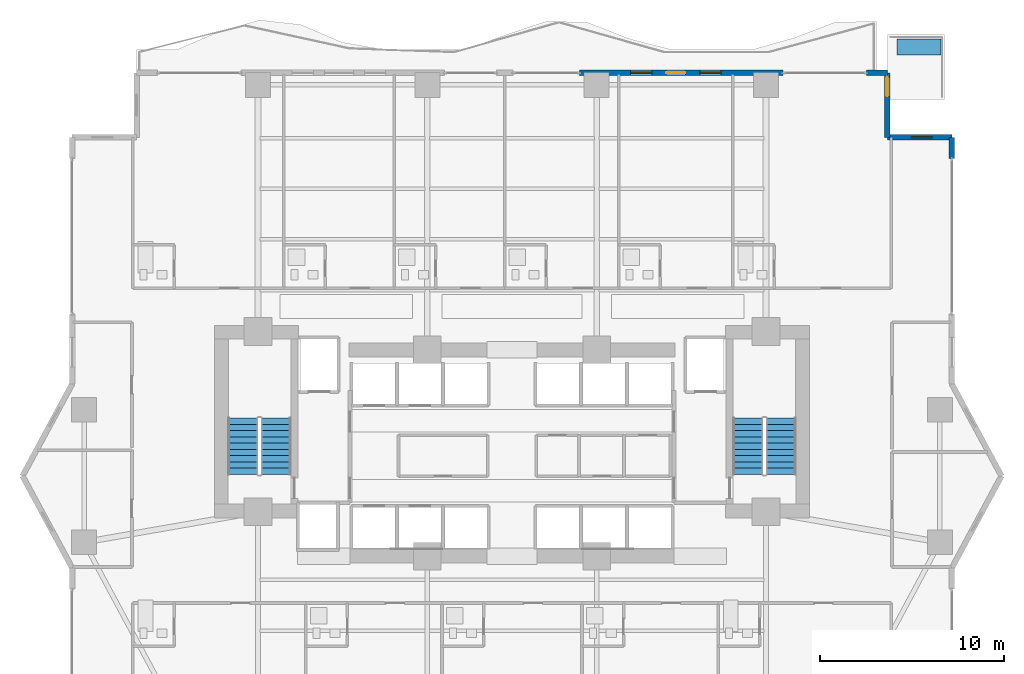
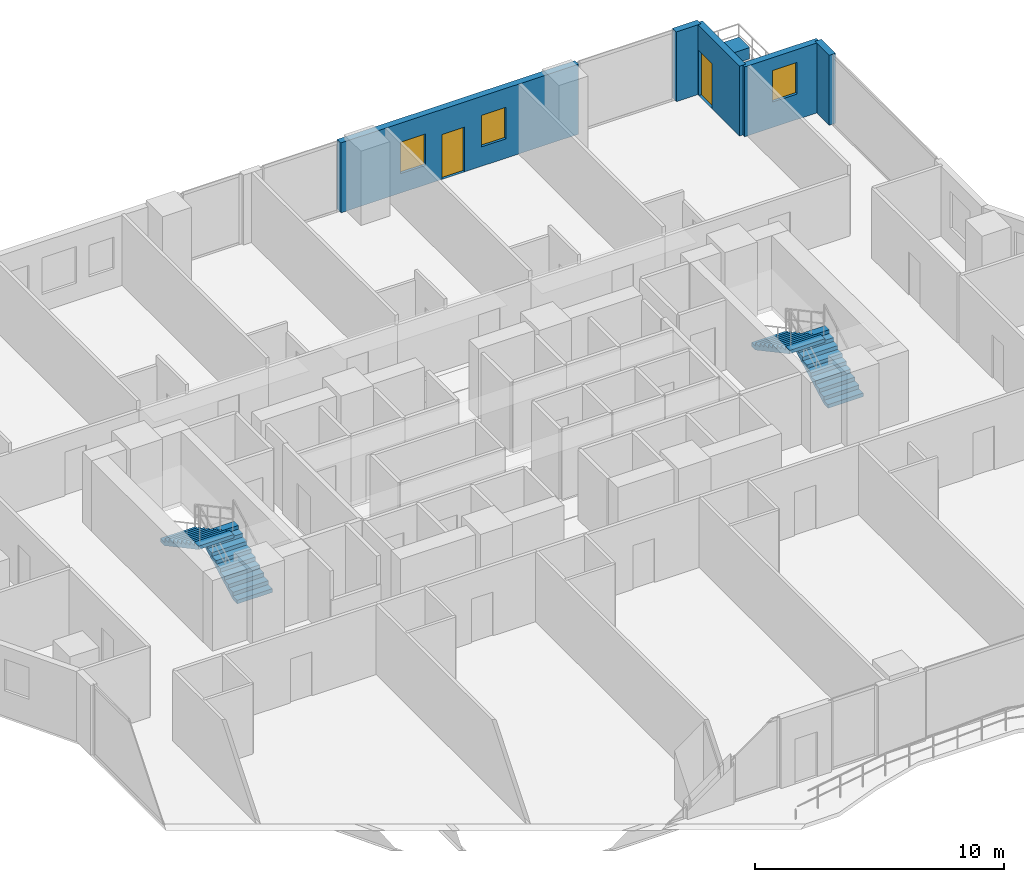
# One storey, part 24 of 28: 5 walls, 4 stair flights, 3 windows, 2 doors, 1 building element part, 5 openings, 2 elements without a shape of their own.
"""IFC4 building model written with IfcOpenShell, lengths in metres."""

from ifc_helpers import new_model, si_unit, direction, frame, frame_2d, origin, origin_2d, place, context, subcontext, project, spatial, polyline, rectangle, outline, extrude, material, layer, layer_set, type_object, element, fill, aggregate, save


model = new_model("IFC4")

# Units and contexts
model_context = context("Model", 3, precision=1e-05, world=origin(), true_north=direction((0.0, 1.0)))
body_context = subcontext(model_context, "Body", "Model", "MODEL_VIEW")
ifc_project = project(units=[si_unit("LENGTHUNIT", "METRE"), si_unit("AREAUNIT", "SQUARE_METRE"), si_unit("VOLUMEUNIT", "CUBIC_METRE"), si_unit("PLANEANGLEUNIT", "RADIAN"), si_unit("MASSUNIT", "GRAM", prefix="KILO")], contexts=[model_context])

# Site, building, storey
site_placement = place(None, origin())
site = spatial("IfcSite", under=ifc_project, at=site_placement, CompositionType="ELEMENT")
building_placement = place(site_placement, origin())
building = spatial("IfcBuilding", under=site, at=building_placement, Name="Zuhayl Quay Hotel", CompositionType="ELEMENT")
storey_placement = place(building_placement, frame((0.0, 0.0, 99.300048828125)))
storey = spatial("IfcBuildingStorey", under=building, at=storey_placement, Name="L24", CompositionType="ELEMENT", Elevation=99.300048828125)

# Wall, openings, door, windows
ifc_material_1 = material(Name="Precast concrete C45/55", Category="concrete")
ifc_layer_1 = layer(ifc_material_1, 0.300048828125, Name="Precast concrete C45/55", Category="concrete")
ifc_layer_set_1 = layer_set([ifc_layer_1], Name="Precast concrete C45/55")
wall_type = type_object("IfcWallType", Name="WL_EXT_300", PredefinedType="STANDARD", material=ifc_layer_set_1)
wall_1_placement = place(storey_placement, frame((3.679931640625, 28.39990234375, 0.0), z_axis=(0.0, 0.0, 1.0), x_axis=(1.0, 0.0, 0.0)))
wall_1 = element("IfcWall", 1, at=wall_1_placement, inside=storey, type_object=wall_type, Name="L24 Exterior Precast Wall ENV_L24_N_EW4", PredefinedType="STANDARD", context=body_context, shape_type="SweptSolid", body=[
    extrude(rectangle(XDim=11.0400390625, YDim=0.300048828125, at=frame_2d((5.52001953125, 0.0))), origin(), (0.0, 0.0, 1.0), 3.429931640625),
])
opening_1_placement = place(wall_1_placement, frame((4.695068359375, 0.0, 0.0)))
opening_1 = element("IfcOpeningElement", 2, at=opening_1_placement, cuts=wall_1, Name="Opening DG1", PredefinedType="OPENING", context=body_context, shape_type="SweptSolid", body=[
    extrude(rectangle(XDim=1.050048828125, YDim=2.199951171875, at=frame_2d((0.52490234375, 1.10009765625))), frame((0.0, 0.159912109375, 0.0), z_axis=(0.0, -1.0, 0.0), x_axis=(1.0, 0.0, 0.0)), (0.0, 0.0, 1.0), 0.320068359375),
])
opening_2_placement = place(wall_1_placement, frame((2.767578125, 0.0, 0.949951171875)))
opening_2 = element("IfcOpeningElement", 3, at=opening_2_placement, cuts=wall_1, Name="Opening W01N", PredefinedType="OPENING", context=body_context, shape_type="SweptSolid", body=[
    extrude(rectangle(XDim=1.14990234375, YDim=1.550048828125, at=frame_2d((0.574951171875, 0.77490234375))), frame((0.0, 0.159912109375, 0.0), z_axis=(0.0, -1.0, 0.0), x_axis=(1.0, 0.0, 0.0)), (0.0, 0.0, 1.0), 0.320068359375),
])
opening_3_placement = place(wall_1_placement, frame((6.5224609375, 0.0, 0.949951171875)))
opening_3 = element("IfcOpeningElement", 4, at=opening_3_placement, cuts=wall_1, Name="Opening W01N", PredefinedType="OPENING", context=body_context, shape_type="SweptSolid", body=[
    extrude(rectangle(XDim=1.14990234375, YDim=1.550048828125, at=frame_2d((0.574951171875, 0.77490234375))), frame((0.0, 0.159912109375, 0.0), z_axis=(0.0, -1.0, 0.0), x_axis=(1.0, 0.0, 0.0)), (0.0, 0.0, 1.0), 0.320068359375),
])
ifc_material_2 = material(Name="Anodised Aluminium and Dark Solar Glass", Category="aluminium")
door_type = type_object("IfcDoorType", Name="DR_EXT_TERR_1050", OperationType="NOTDEFINED", PredefinedType="DOOR", material=ifc_material_2)
door_1_placement = place(opening_1_placement, origin())
door_1 = element("IfcDoor", 5, at=door_1_placement, inside=storey, type_object=door_type, Name="L24 North Rippling Balcony Door", OperationType="SINGLE_SWING_LEFT", OverallHeight=2.199951171875, OverallWidth=1.050048828125, PredefinedType="DOOR", context=body_context, shape_type="SweptSolid", body=[
    extrude(rectangle(XDim=1.050048828125, YDim=2.199951171875, at=frame_2d((0.52490234375, 1.10009765625))), frame((0.0, 0.02490234375, 0.0), z_axis=(0.0, -1.0, 0.0), x_axis=(1.0, 0.0, 0.0)), (0.0, 0.0, 1.0), 0.050048828125),
])
fill(opening_1, door_1)
ifc_material_3 = material(Name="Dark Ceramic-Fritted Solar Glass", Category="glass")
window_type = type_object("IfcWindowType", Name="WN_NOTCH_1350", PartitioningType="SINGLE_PANEL", PredefinedType="WINDOW", material=ifc_material_3)
window_1_placement = place(opening_2_placement, origin())
window_1 = element("IfcWindow", 6, at=window_1_placement, inside=storey, type_object=window_type, Name="L24 Operable Facade Window 4-1", OverallHeight=1.550048828125, OverallWidth=1.14990234375, PartitioningType="SINGLE_PANEL", PredefinedType="WINDOW", context=body_context, shape_type="SweptSolid", body=[
    extrude(rectangle(XDim=1.14990234375, YDim=1.550048828125, at=frame_2d((0.574951171875, 0.77490234375))), frame((0.0, 0.030029296875, 0.0), z_axis=(0.0, -1.0, 0.0), x_axis=(1.0, 0.0, 0.0)), (0.0, 0.0, 1.0), 0.06005859375),
])
fill(opening_2, window_1)
window_2_placement = place(opening_3_placement, origin())
window_2 = element("IfcWindow", 7, at=window_2_placement, inside=storey, type_object=window_type, Name="L24 Operable Facade Window 4-2", OverallHeight=1.550048828125, OverallWidth=1.14990234375, PartitioningType="SINGLE_PANEL", PredefinedType="WINDOW", context=body_context, shape_type="SweptSolid", body=[
    extrude(rectangle(XDim=1.14990234375, YDim=1.550048828125, at=frame_2d((0.574951171875, 0.77490234375))), frame((0.0, 0.030029296875, 0.0), z_axis=(0.0, -1.0, 0.0), x_axis=(1.0, 0.0, 0.0)), (0.0, 0.0, 1.0), 0.06005859375),
])
fill(opening_3, window_2)

# Wall
wall_2_placement = place(storey_placement, frame((19.25, 28.39990234375, 0.0), z_axis=(0.0, 0.0, 1.0), x_axis=(1.0, 0.0, 0.0)))
element("IfcWall", 8, at=wall_2_placement, inside=storey, type_object=wall_type, Name="L24 Exterior Precast Wall ENV_L24_N_EW5", PredefinedType="STANDARD", context=body_context, shape_type="SweptSolid", body=[
    extrude(rectangle(XDim=1.14990234375, YDim=0.300048828125, at=frame_2d((0.574951171875, 0.0))), origin(), (0.0, 0.0, 1.0), 3.429931640625),
])

# Wall, opening, door
wall_3_placement = place(storey_placement, frame((20.39990234375, 28.39990234375, 0.0), z_axis=(0.0, 0.0, 1.0), x_axis=(0.0, -1.0, 0.0)))
wall_3 = element("IfcWall", 9, at=wall_3_placement, inside=storey, type_object=wall_type, Name="L24 Exterior Precast Wall ENV_L24_SP_NE", PredefinedType="STANDARD", context=body_context, shape_type="SweptSolid", body=[
    extrude(rectangle(XDim=3.5, YDim=0.300048828125, at=frame_2d((1.75, 0.0))), origin(), (0.0, 0.0, 1.0), 3.429931640625),
])
opening_4_placement = place(wall_3_placement, frame((0.219970703125, 0.0, 0.0)))
opening_4 = element("IfcOpeningElement", 10, at=opening_4_placement, cuts=wall_3, Name="Opening DG1", PredefinedType="OPENING", context=body_context, shape_type="SweptSolid", body=[
    extrude(rectangle(XDim=1.050048828125, YDim=2.199951171875, at=frame_2d((0.52490234375, 1.10009765625))), frame((0.0, 0.159912109375, 0.0), z_axis=(0.0, -1.0, 0.0), x_axis=(1.0, 0.0, 0.0)), (0.0, 0.0, 1.0), 0.320068359375),
])
door_2_placement = place(opening_4_placement, origin())
door_2 = element("IfcDoor", 11, at=door_2_placement, inside=storey, type_object=door_type, Name="L24 Spiral Sky-Terrace NE Access Door", OperationType="SINGLE_SWING_LEFT", OverallHeight=2.199951171875, OverallWidth=1.050048828125, PredefinedType="DOOR", context=body_context, shape_type="SweptSolid", body=[
    extrude(rectangle(XDim=1.050048828125, YDim=2.199951171875, at=frame_2d((0.52490234375, 1.10009765625))), frame((0.0, 0.02490234375, 0.0), z_axis=(0.0, -1.0, 0.0), x_axis=(1.0, 0.0, 0.0)), (0.0, 0.0, 1.0), 0.050048828125),
])
fill(opening_4, door_2)

# Wall, opening, window
wall_4_placement = place(storey_placement, frame((20.39990234375, 24.89990234375, 0.0), z_axis=(0.0, 0.0, 1.0), x_axis=(1.0, 0.0, 0.0)))
wall_4 = element("IfcWall", 12, at=wall_4_placement, inside=storey, type_object=wall_type, Name="L24 Exterior Precast Wall ENV_L24_EW10", PredefinedType="STANDARD", context=body_context, shape_type="SweptSolid", body=[
    extrude(rectangle(XDim=3.5, YDim=0.300048828125, at=frame_2d((1.75, 0.0))), origin(), (0.0, 0.0, 1.0), 3.429931640625),
])
opening_5_placement = place(wall_4_placement, frame((1.284912109375, 0.0, 1.25)))
opening_5 = element("IfcOpeningElement", 13, at=opening_5_placement, cuts=wall_4, Name="Opening W01N", PredefinedType="OPENING", context=body_context, shape_type="SweptSolid", body=[
    extrude(rectangle(XDim=1.14990234375, YDim=1.550048828125, at=frame_2d((0.574951171875, 0.77490234375))), frame((0.0, 0.159912109375, 0.0), z_axis=(0.0, -1.0, 0.0), x_axis=(1.0, 0.0, 0.0)), (0.0, 0.0, 1.0), 0.320068359375),
])
window_3_placement = place(opening_5_placement, origin())
window_3 = element("IfcWindow", 14, at=window_3_placement, inside=storey, type_object=window_type, Name="L24 Corner Notch Window 10", OverallHeight=1.550048828125, OverallWidth=1.14990234375, PartitioningType="SINGLE_PANEL", PredefinedType="WINDOW", context=body_context, shape_type="SweptSolid", body=[
    extrude(rectangle(XDim=1.14990234375, YDim=1.550048828125, at=frame_2d((0.574951171875, 0.77490234375))), frame((0.0, 0.030029296875, 0.0), z_axis=(0.0, -1.0, 0.0), x_axis=(1.0, 0.0, 0.0)), (0.0, 0.0, 1.0), 0.06005859375),
])
fill(opening_5, window_3)

# Wall
wall_5_placement = place(storey_placement, frame((23.89990234375, 24.89990234375, 0.0), z_axis=(0.0, 0.0, 1.0), x_axis=(0.0, -1.0, 0.0)))
element("IfcWall", 15, at=wall_5_placement, inside=storey, type_object=wall_type, Name="L24 Exterior Precast Wall ENV_L24_E11_EW1", PredefinedType="STANDARD", context=body_context, shape_type="SweptSolid", body=[
    extrude(rectangle(XDim=1.14990234375, YDim=0.300048828125, at=frame_2d((0.574951171875, 0.0))), origin(), (0.0, 0.0, 1.0), 3.429931640625),
])

# Stair, stair flights
ifc_material_4 = material(Name="Concrete C45/55", Category="concrete")
stair_type = type_object("IfcStairType", Name="ST_DOGLEG_TOWER", PredefinedType="HALF_TURN_STAIR", material=ifc_material_4)
stair_1_placement = place(storey_placement, origin())
stair_1 = element("IfcStair", 16, at=stair_1_placement, inside=storey, type_object=stair_type, Name="L24 Smokeproof Exit Stair ST1", PredefinedType="HALF_TURN_STAIR")
ifc_layer_2 = layer(ifc_material_4, 0.159912109375, Name="Concrete C45/55", Category="concrete")
ifc_layer_set_2 = layer_set([ifc_layer_2], Name="Concrete C45/55")
stair_flight_type = type_object("IfcStairFlightType", Name="SF_CONC_164", PredefinedType="STRAIGHT", material=ifc_layer_set_2)
stair_flight_1_placement = place(storey_placement, frame((-12.820068359375, 6.590087890625, 0.0), z_axis=(0.0, 0.0, 1.0), x_axis=(0.0, 1.0, 0.0)))
stair_flight_1 = element("IfcStairFlight", 17, at=stair_flight_1_placement, type_object=stair_flight_type, Name="ST1 flight 1", NumberOfRisers=10, NumberOfTreads=9, PredefinedType="STRAIGHT", RiserHeight=0.1825, TreadLength=0.34, context=body_context, shape_type="SweptSolid", body=[
    extrude(outline(polyline([(0.0, 0.0), (0.0, 0.1826171875), (0.340087890625, 0.1826171875), (0.340087890625, 0.364990234375), (0.679931640625, 0.364990234375), (0.679931640625, 0.547607421875), (1.02001953125, 0.547607421875), (1.02001953125, 0.72998046875), (1.360107421875, 0.72998046875), (1.360107421875, 0.91259765625), (1.699951171875, 0.91259765625), (1.699951171875, 1.094970703125), (2.0400390625, 1.094970703125), (2.0400390625, 1.277587890625), (2.3798828125, 1.277587890625), (2.3798828125, 1.4599609375), (2.719970703125, 1.4599609375), (2.719970703125, 1.642578125), (3.06005859375, 1.642578125), (3.06005859375, 1.824951171875), (3.06005859375, 1.472412109375), (0.31689453125, 0.0), (0.0, 0.0)])), frame((0.0, 0.81982421875, 0.0), z_axis=(0.0, -1.0, 0.0), x_axis=(1.0, 0.0, 0.0)), (0.0, 0.0, 1.0), 1.639892578125),
])
stair_flight_2_placement = place(storey_placement, frame((-14.610107421875, 9.64990234375, 1.824951171875), z_axis=(0.0, 0.0, 1.0), x_axis=(0.0, -1.0, 0.0)))
stair_flight_2 = element("IfcStairFlight", 18, at=stair_flight_2_placement, type_object=stair_flight_type, Name="ST1 flight 2", NumberOfRisers=10, NumberOfTreads=9, PredefinedType="STRAIGHT", RiserHeight=0.1825, TreadLength=0.34, context=body_context, shape_type="SweptSolid", body=[
    extrude(outline(polyline([(0.0, 0.0), (0.0, 0.1826171875), (0.340087890625, 0.1826171875), (0.340087890625, 0.364990234375), (0.679931640625, 0.364990234375), (0.679931640625, 0.547607421875), (1.02001953125, 0.547607421875), (1.02001953125, 0.72998046875), (1.360107421875, 0.72998046875), (1.360107421875, 0.91259765625), (1.699951171875, 0.91259765625), (1.699951171875, 1.094970703125), (2.0400390625, 1.094970703125), (2.0400390625, 1.277587890625), (2.3798828125, 1.277587890625), (2.3798828125, 1.4599609375), (2.719970703125, 1.4599609375), (2.719970703125, 1.642578125), (3.06005859375, 1.642578125), (3.06005859375, 1.824951171875), (3.06005859375, 1.472412109375), (0.31689453125, 0.0), (0.0, 0.0)])), frame((0.0, 0.81982421875, 0.0), z_axis=(0.0, -1.0, 0.0), x_axis=(1.0, 0.0, 0.0)), (0.0, 0.0, 1.0), 1.639892578125),
])
aggregate(stair_1, [stair_flight_1, stair_flight_2])

stair_2_placement = place(storey_placement, origin())
stair_2 = element("IfcStair", 19, at=stair_2_placement, inside=storey, type_object=stair_type, Name="L24 Smokeproof Exit Stair ST2", PredefinedType="HALF_TURN_STAIR")
stair_flight_3_placement = place(storey_placement, frame((14.610107421875, 6.590087890625, 0.0), z_axis=(0.0, 0.0, 1.0), x_axis=(0.0, 1.0, 0.0)))
stair_flight_3 = element("IfcStairFlight", 20, at=stair_flight_3_placement, type_object=stair_flight_type, Name="ST2 flight 1", NumberOfRisers=10, NumberOfTreads=9, PredefinedType="STRAIGHT", RiserHeight=0.1825, TreadLength=0.34, context=body_context, shape_type="SweptSolid", body=[
    extrude(outline(polyline([(0.0, 0.0), (0.0, 0.1826171875), (0.340087890625, 0.1826171875), (0.340087890625, 0.364990234375), (0.679931640625, 0.364990234375), (0.679931640625, 0.547607421875), (1.02001953125, 0.547607421875), (1.02001953125, 0.72998046875), (1.360107421875, 0.72998046875), (1.360107421875, 0.91259765625), (1.699951171875, 0.91259765625), (1.699951171875, 1.094970703125), (2.0400390625, 1.094970703125), (2.0400390625, 1.277587890625), (2.3798828125, 1.277587890625), (2.3798828125, 1.4599609375), (2.719970703125, 1.4599609375), (2.719970703125, 1.642578125), (3.06005859375, 1.642578125), (3.06005859375, 1.824951171875), (3.06005859375, 1.472412109375), (0.31689453125, 0.0), (0.0, 0.0)])), frame((0.0, 0.81982421875, 0.0), z_axis=(0.0, -1.0, 0.0), x_axis=(1.0, 0.0, 0.0)), (0.0, 0.0, 1.0), 1.639892578125),
])
stair_flight_4_placement = place(storey_placement, frame((12.820068359375, 9.64990234375, 1.824951171875), z_axis=(0.0, 0.0, 1.0), x_axis=(0.0, -1.0, 0.0)))
stair_flight_4 = element("IfcStairFlight", 21, at=stair_flight_4_placement, type_object=stair_flight_type, Name="ST2 flight 2", NumberOfRisers=10, NumberOfTreads=9, PredefinedType="STRAIGHT", RiserHeight=0.1825, TreadLength=0.34, context=body_context, shape_type="SweptSolid", body=[
    extrude(outline(polyline([(0.0, 0.0), (0.0, 0.1826171875), (0.340087890625, 0.1826171875), (0.340087890625, 0.364990234375), (0.679931640625, 0.364990234375), (0.679931640625, 0.547607421875), (1.02001953125, 0.547607421875), (1.02001953125, 0.72998046875), (1.360107421875, 0.72998046875), (1.360107421875, 0.91259765625), (1.699951171875, 0.91259765625), (1.699951171875, 1.094970703125), (2.0400390625, 1.094970703125), (2.0400390625, 1.277587890625), (2.3798828125, 1.277587890625), (2.3798828125, 1.4599609375), (2.719970703125, 1.4599609375), (2.719970703125, 1.642578125), (3.06005859375, 1.642578125), (3.06005859375, 1.824951171875), (3.06005859375, 1.472412109375), (0.31689453125, 0.0), (0.0, 0.0)])), frame((0.0, 0.81982421875, 0.0), z_axis=(0.0, -1.0, 0.0), x_axis=(1.0, 0.0, 0.0)), (0.0, 0.0, 1.0), 1.639892578125),
])
aggregate(stair_2, [stair_flight_3, stair_flight_4])

# Building element part
ifc_layer_3 = layer(ifc_material_1, 0.550048828125, Name="Precast concrete C45/55", Category="concrete")
ifc_layer_set_3 = layer_set([ifc_layer_3], Name="Precast concrete C45/55")
building_element_part_type = type_object("IfcBuildingElementPartType", Name="PT_PLANTER_KERB", PredefinedType="PRECASTPANEL", material=ifc_layer_set_3)
building_element_part_placement = place(storey_placement, frame((22.110107421875, 29.81005859375, 0.0), z_axis=(0.0, 0.0, 1.0), x_axis=(1.0, 0.0, 0.0)))
element("IfcBuildingElementPart", 22, at=building_element_part_placement, inside=storey, type_object=building_element_part_type, Name="L24 Spiral Sky-Terrace Planter Box NE", PredefinedType="PRECASTPANEL", context=body_context, shape_type="SweptSolid", body=[
    extrude(rectangle(XDim=2.39990234375, YDim=0.85009765625, at=origin_2d()), origin(), (0.0, 0.0, 1.0), 0.550048828125),
])

save(model, "model.ifc")
